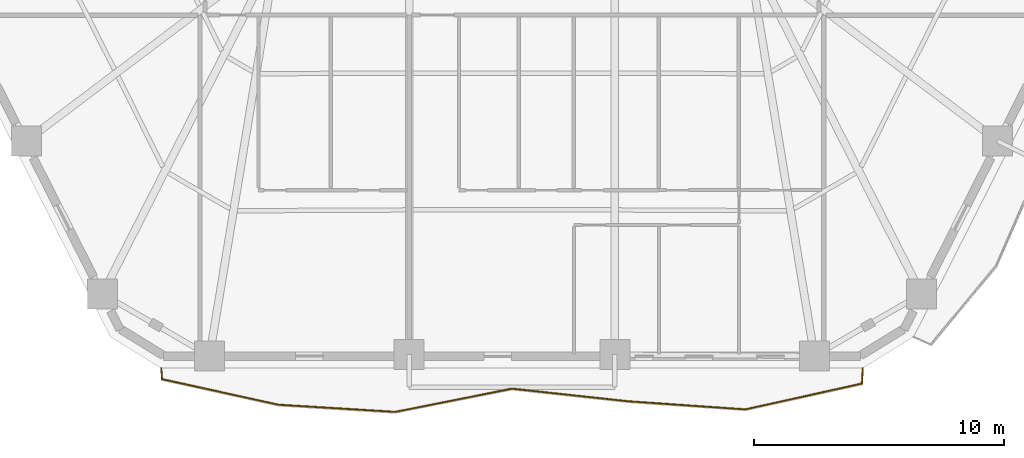
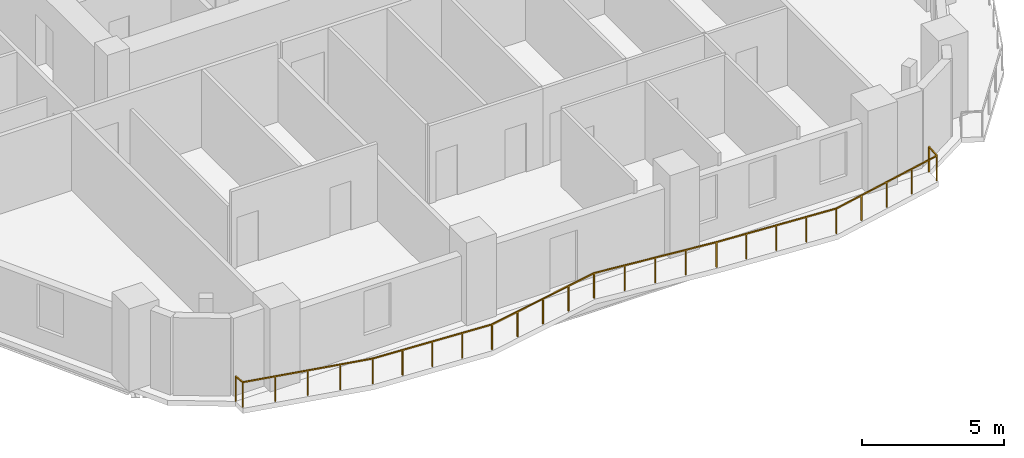
# One storey, part 9 of 12: 1 railing.
"""IFC4 building model written with IfcOpenShell, lengths in metres."""

from ifc_helpers import new_model, si_unit, direction, frame, origin, origin_2d, place, context, subcontext, project, spatial, rectangle, extrude, material, type_object, element, save


model = new_model("IFC4")

# Units and contexts
model_context = context("Model", 3, precision=1e-05, world=origin(), true_north=direction((0.0, 1.0)))
body_context = subcontext(model_context, "Body", "Model", "MODEL_VIEW")
ifc_project = project(units=[si_unit("LENGTHUNIT", "METRE"), si_unit("AREAUNIT", "SQUARE_METRE"), si_unit("VOLUMEUNIT", "CUBIC_METRE"), si_unit("PLANEANGLEUNIT", "RADIAN"), si_unit("MASSUNIT", "GRAM", prefix="KILO")], contexts=[model_context])

# Site, building, storey
site_placement = place(None, origin())
site = spatial("IfcSite", under=ifc_project, at=site_placement, CompositionType="ELEMENT")
building_placement = place(site_placement, origin())
building = spatial("IfcBuilding", under=site, at=building_placement, Name="Cinnabar Lancet Tower", CompositionType="ELEMENT")
storey_placement = place(building_placement, frame((0.0, 0.0, 32.0)))
storey = spatial("IfcBuildingStorey", under=building, at=storey_placement, Name="L07", CompositionType="ELEMENT", Elevation=32.0)

# Railing
ifc_material = material(Name="Laminated safety glass and bronze stainless steel balustrade", Category="steel")
railing_type = type_object("IfcRailingType", Name="ENV-RLG-BAL-1100", PredefinedType="BALUSTRADE", material=ifc_material)
railing_placement = place(storey_placement, frame((18.343994140625, 1.800048828125, 0.0)))
element("IfcRailing", 1, at=railing_placement, inside=storey, type_object=railing_type, Name="L07 Face 1 Wave Balcony Balustrade", PredefinedType="BALUSTRADE", context=body_context, shape_type="SweptSolid", body=[
    extrude(rectangle(XDim=0.048095703125, YDim=0.048095703125, at=origin_2d()), frame((0.0, 0.0, 1.076171875), z_axis=(0.079282460162, -0.996852191406, 0.0), x_axis=(0.996852191406, 0.079282460162, 0.0)), (0.0, 0.0, 1.0), 0.4404296875),
    extrude(rectangle(XDim=0.048095703125, YDim=0.048095703125, at=origin_2d()), frame((0.034912109375, -0.43896484375, 1.076171875), z_axis=(0.976739652293, -0.214428663285, 0.0), x_axis=(0.214428663285, 0.976739652293, 0.0)), (0.0, 0.0, 1.0), 4.785400390625),
    extrude(rectangle(XDim=0.048095703125, YDim=0.048095703125, at=origin_2d()), frame((4.708984375, -1.465087890625, 1.076171875), z_axis=(0.998147352575, -0.060842933427, 0.0), x_axis=(0.060842933427, 0.998147352575, 0.0)), (0.0, 0.0, 1.0), 4.682861328125),
    extrude(rectangle(XDim=0.048095703125, YDim=0.048095703125, at=origin_2d()), frame((9.383056640625, -1.75, 1.076171875), z_axis=(0.980767458367, 0.195179898063, 0.0), x_axis=(-0.195179898063, 0.980767458367, 0.0)), (0.0, 0.0, 1.0), 4.764404296875),
    extrude(rectangle(XDim=0.048095703125, YDim=0.048095703125, at=origin_2d()), frame((14.055908203125, -0.820068359375, 1.076171875), z_axis=(0.99413948796, -0.108104941968, 0.0), x_axis=(0.108104941968, 0.99413948796, 0.0)), (0.0, 0.0, 1.0), 4.69970703125),
    extrude(rectangle(XDim=0.048095703125, YDim=0.048095703125, at=origin_2d()), frame((18.72802734375, -1.328125, 1.076171875), z_axis=(0.997636120468, -0.068718055402, 0.0), x_axis=(0.068718055402, 0.997636120468, 0.0)), (0.0, 0.0, 1.0), 4.68603515625),
    extrude(rectangle(XDim=0.048095703125, YDim=0.048095703125, at=origin_2d()), frame((23.403076171875, -1.650146484375, 1.076171875), z_axis=(0.976383466397, 0.216044732744, 0.0), x_axis=(-0.216044732744, 0.976383466397, 0.0)), (0.0, 0.0, 1.0), 4.786865234375),
    extrude(rectangle(XDim=0.048095703125, YDim=0.048095703125, at=origin_2d()), frame((28.076904296875, -0.615966796875, 1.076171875), z_axis=(0.056982175269, 0.998375195857, 0.0), x_axis=(-0.998375195857, 0.056982175269, 0.0)), (0.0, 0.0, 1.0), 0.616943359375),
    extrude(rectangle(XDim=0.0419921875, YDim=0.0419921875, at=origin_2d()), origin(), (0.0, 0.0, 1.0), 1.052001953125),
    extrude(rectangle(XDim=0.0419921875, YDim=0.0419921875, at=origin_2d()), frame((0.034912109375, -0.43896484375, 0.0)), (0.0, 0.0, 1.0), 1.052001953125),
    extrude(rectangle(XDim=0.0419921875, YDim=0.0419921875, at=origin_2d()), frame((1.203369140625, -0.695556640625, 0.0)), (0.0, 0.0, 1.0), 1.052001953125),
    extrude(rectangle(XDim=0.0419921875, YDim=0.0419921875, at=origin_2d()), frame((2.3720703125, -0.9521484375, 0.0)), (0.0, 0.0, 1.0), 1.052001953125),
    extrude(rectangle(XDim=0.0419921875, YDim=0.0419921875, at=origin_2d()), frame((3.54052734375, -1.20849609375, 0.0)), (0.0, 0.0, 1.0), 1.052001953125),
    extrude(rectangle(XDim=0.0419921875, YDim=0.0419921875, at=origin_2d()), frame((4.708984375, -1.465087890625, 0.0)), (0.0, 0.0, 1.0), 1.052001953125),
    extrude(rectangle(XDim=0.0419921875, YDim=0.0419921875, at=origin_2d()), frame((5.87744140625, -1.536376953125, 0.0)), (0.0, 0.0, 1.0), 1.052001953125),
    extrude(rectangle(XDim=0.0419921875, YDim=0.0419921875, at=origin_2d()), frame((7.0458984375, -1.607421875, 0.0)), (0.0, 0.0, 1.0), 1.052001953125),
    extrude(rectangle(XDim=0.0419921875, YDim=0.0419921875, at=origin_2d()), frame((8.214599609375, -1.6787109375, 0.0)), (0.0, 0.0, 1.0), 1.052001953125),
    extrude(rectangle(XDim=0.0419921875, YDim=0.0419921875, at=origin_2d()), frame((9.383056640625, -1.75, 0.0)), (0.0, 0.0, 1.0), 1.052001953125),
    extrude(rectangle(XDim=0.0419921875, YDim=0.0419921875, at=origin_2d()), frame((10.55126953125, -1.517578125, 0.0)), (0.0, 0.0, 1.0), 1.052001953125),
    extrude(rectangle(XDim=0.0419921875, YDim=0.0419921875, at=origin_2d()), frame((11.719482421875, -1.28515625, 0.0)), (0.0, 0.0, 1.0), 1.052001953125),
    extrude(rectangle(XDim=0.0419921875, YDim=0.0419921875, at=origin_2d()), frame((12.8876953125, -1.052490234375, 0.0)), (0.0, 0.0, 1.0), 1.052001953125),
    extrude(rectangle(XDim=0.0419921875, YDim=0.0419921875, at=origin_2d()), frame((14.055908203125, -0.820068359375, 0.0)), (0.0, 0.0, 1.0), 1.052001953125),
    extrude(rectangle(XDim=0.0419921875, YDim=0.0419921875, at=origin_2d()), frame((15.223876953125, -0.947021484375, 0.0)), (0.0, 0.0, 1.0), 1.052001953125),
    extrude(rectangle(XDim=0.0419921875, YDim=0.0419921875, at=origin_2d()), frame((16.39208984375, -1.07421875, 0.0)), (0.0, 0.0, 1.0), 1.052001953125),
    extrude(rectangle(XDim=0.0419921875, YDim=0.0419921875, at=origin_2d()), frame((17.56005859375, -1.201171875, 0.0)), (0.0, 0.0, 1.0), 1.052001953125),
    extrude(rectangle(XDim=0.0419921875, YDim=0.0419921875, at=origin_2d()), frame((18.72802734375, -1.328125, 0.0)), (0.0, 0.0, 1.0), 1.052001953125),
    extrude(rectangle(XDim=0.0419921875, YDim=0.0419921875, at=origin_2d()), frame((19.896728515625, -1.40869140625, 0.0)), (0.0, 0.0, 1.0), 1.052001953125),
    extrude(rectangle(XDim=0.0419921875, YDim=0.0419921875, at=origin_2d()), frame((21.0654296875, -1.4892578125, 0.0)), (0.0, 0.0, 1.0), 1.052001953125),
    extrude(rectangle(XDim=0.0419921875, YDim=0.0419921875, at=origin_2d()), frame((22.234375, -1.569580078125, 0.0)), (0.0, 0.0, 1.0), 1.052001953125),
    extrude(rectangle(XDim=0.0419921875, YDim=0.0419921875, at=origin_2d()), frame((23.403076171875, -1.650146484375, 0.0)), (0.0, 0.0, 1.0), 1.052001953125),
    extrude(rectangle(XDim=0.0419921875, YDim=0.0419921875, at=origin_2d()), frame((24.571533203125, -1.3916015625, 0.0)), (0.0, 0.0, 1.0), 1.052001953125),
    extrude(rectangle(XDim=0.0419921875, YDim=0.0419921875, at=origin_2d()), frame((25.739990234375, -1.133056640625, 0.0)), (0.0, 0.0, 1.0), 1.052001953125),
    extrude(rectangle(XDim=0.0419921875, YDim=0.0419921875, at=origin_2d()), frame((26.908447265625, -0.87451171875, 0.0)), (0.0, 0.0, 1.0), 1.052001953125),
    extrude(rectangle(XDim=0.0419921875, YDim=0.0419921875, at=origin_2d()), frame((28.076904296875, -0.615966796875, 0.0)), (0.0, 0.0, 1.0), 1.052001953125),
    extrude(rectangle(XDim=0.0419921875, YDim=0.0419921875, at=origin_2d()), frame((28.112060546875, 0.0, 0.0)), (0.0, 0.0, 1.0), 1.052001953125),
])

save(model, "model.ifc")
